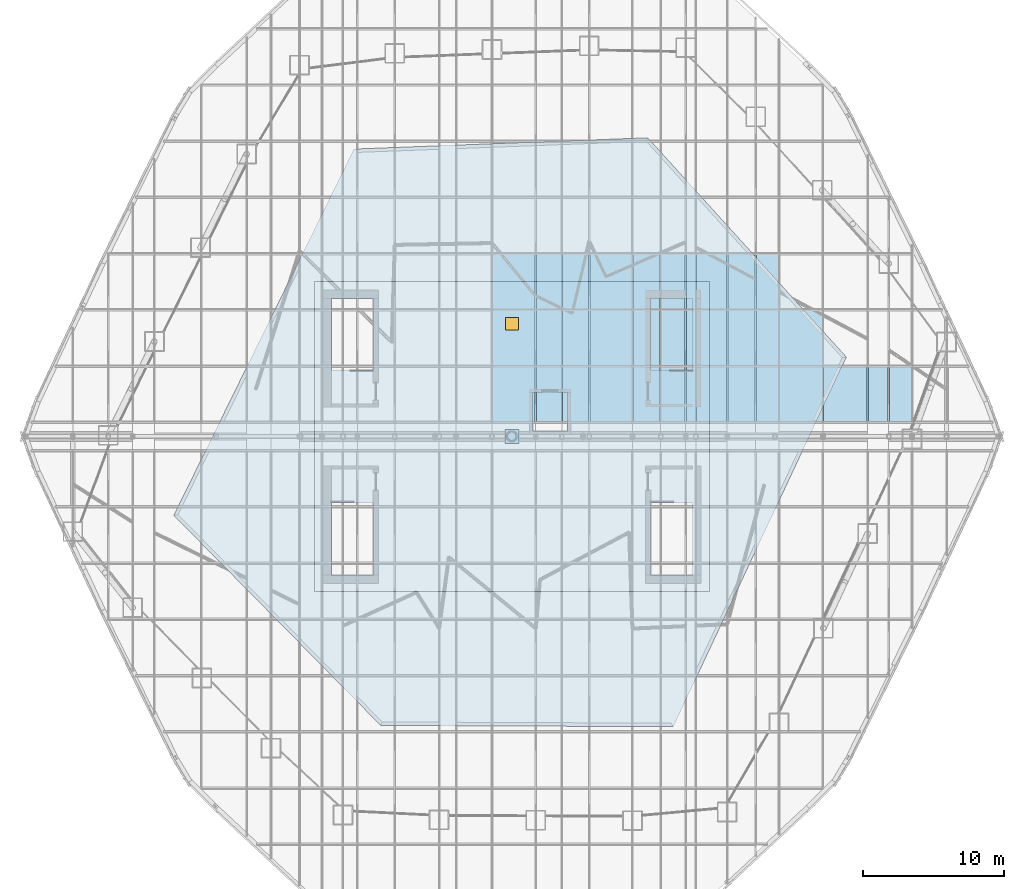
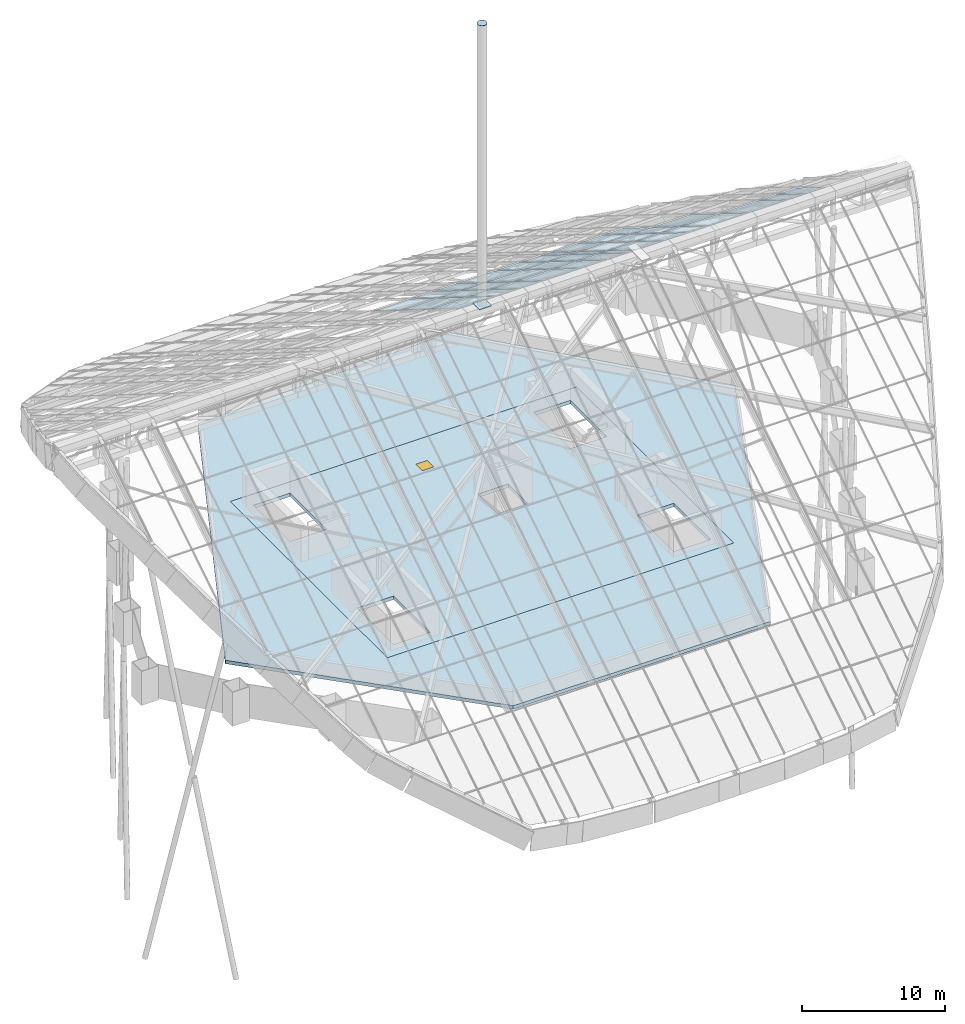
# One storey, part 33 of 38: 37 plates, 2 slabs, 1 door, 1 opening, 35 elements without a shape of their own.
"""IFC4 building model written with IfcOpenShell, lengths in metres."""

from ifc_helpers import new_model, si_unit, direction, frame, origin, origin_2d, place, context, subcontext, project, spatial, polyline, rectangle, circle, outline, extrude, material, layer, layer_set, material_profile, profile_set, type_object, element, fill, aggregate, save


model = new_model("IFC4")

# Units and contexts
model_context = context("Model", 3, precision=1e-05, world=origin(), true_north=direction((0.0, 1.0)))
body_context = subcontext(model_context, "Body", "Model", "MODEL_VIEW")
ifc_project = project(units=[si_unit("LENGTHUNIT", "METRE"), si_unit("AREAUNIT", "SQUARE_METRE"), si_unit("VOLUMEUNIT", "CUBIC_METRE"), si_unit("PLANEANGLEUNIT", "RADIAN"), si_unit("MASSUNIT", "GRAM", prefix="KILO")], contexts=[model_context])

# Site, building, storey
site_placement = place(None, origin())
site = spatial("IfcSite", under=ifc_project, at=site_placement, CompositionType="ELEMENT")
building_placement = place(site_placement, origin())
building = spatial("IfcBuilding", under=site, at=building_placement, Name="Dongbaek Canopy Tower", CompositionType="ELEMENT")
storey_placement = place(building_placement, frame((0.0, 0.0, 375.800048828125)))
storey = spatial("IfcBuildingStorey", under=building, at=storey_placement, Name="Roof", CompositionType="ELEMENT", Elevation=375.800048828125)

# Curtain wall, plate
ifc_material_1 = material(Name="Aluminium 6063-T6 pale anodised", Category="aluminium")
ifc_layer_1 = layer(ifc_material_1, 0.199951171875)
ifc_layer_set_1 = layer_set([ifc_layer_1], Name="CW-6 canopy glazing curtain wall")
curtain_wall_type = type_object("IfcCurtainWallType", Name="CW-6 canopy glazing curtain wall", PredefinedType="NOTDEFINED", material=ifc_layer_set_1)
curtain_wall_1_placement = place(storey_placement, origin())
curtain_wall_1 = element("IfcCurtainWall", 1, at=curtain_wall_1_placement, inside=storey, type_object=curtain_wall_type, Name="CW-6 canopy glazing north 16.1", PredefinedType="NOTDEFINED")
ifc_material_2 = material(Name="Clear laminated glass", Category="glass")
ifc_layer_2 = layer(ifc_material_2, 0.0400390625)
ifc_layer_set_2 = layer_set([ifc_layer_2], Name="CW-6 glazed panel 40")
plate_type_1 = type_object("IfcPlateType", Name="CW-6 glazed panel 40", PredefinedType="CURTAIN_PANEL", material=ifc_layer_set_2)
plate_1_placement = place(storey_placement, frame((1.639892578125, 1.04296875, 18.095458984375), z_axis=(0.0, 0.52990827259, 0.848054964398), x_axis=(-1.0, 0.0, 0.0)))
plate_1 = element("IfcPlate", 2, at=plate_1_placement, type_object=plate_type_1, Name="CW-6 panel N16.1", PredefinedType="CURTAIN_PANEL", context=body_context, shape_type="SweptSolid", body=[
    extrude(outline(polyline([(0.0, 0.0), (3.014892578125, 0.0), (3.014892578125, -4.59893125811938), (0.0, -4.59893125811938), (0.0, 0.0)])), origin(), (0.0, 0.0, -1.0), 0.0400390625),
])
aggregate(curtain_wall_1, [plate_1])

curtain_wall_2_placement = place(storey_placement, origin())
curtain_wall_2 = element("IfcCurtainWall", 3, at=curtain_wall_2_placement, inside=storey, type_object=curtain_wall_type, Name="CW-6 canopy glazing north 16.2", PredefinedType="NOTDEFINED")
plate_2_placement = place(storey_placement, frame((1.639892578125, 5.029296875, 15.6044921875), z_axis=(0.0, 0.52990827259, 0.848054964398), x_axis=(-1.0, 0.0, 0.0)))
plate_2 = element("IfcPlate", 4, at=plate_2_placement, type_object=plate_type_1, Name="CW-6 panel N16.2", PredefinedType="CURTAIN_PANEL", context=body_context, shape_type="SweptSolid", body=[
    extrude(outline(polyline([(0.0, 0.0), (3.014892578125, 0.0), (3.014892578125, -4.59893125811938), (0.0, -4.59893125811938), (0.0, 0.0)])), origin(), (0.0, 0.0, -1.0), 0.0400390625),
])
aggregate(curtain_wall_2, [plate_2])

curtain_wall_3_placement = place(storey_placement, origin())
curtain_wall_3 = element("IfcCurtainWall", 5, at=curtain_wall_3_placement, inside=storey, type_object=curtain_wall_type, Name="CW-6 canopy glazing north 16.3", PredefinedType="NOTDEFINED")
plate_3_placement = place(storey_placement, frame((1.639892578125, 9.015380859375, 13.11376953125), z_axis=(0.0, 0.529946450558, 0.848031107649), x_axis=(-1.0, 0.0, 0.0)))
plate_3 = element("IfcPlate", 6, at=plate_3_placement, type_object=plate_type_1, Name="CW-6 panel N16.3", PredefinedType="CURTAIN_PANEL", context=body_context, shape_type="SweptSolid", body=[
    extrude(outline(polyline([(0.0, 0.0), (3.014892578125, 0.0), (3.014892578125, -4.599060634916705), (0.0, -4.599060634916705), (0.0, 0.0)])), origin(), (0.0, 0.0, -1.0), 0.0400390625),
])
aggregate(curtain_wall_3, [plate_3])

curtain_wall_4_placement = place(storey_placement, origin())
curtain_wall_4 = element("IfcCurtainWall", 7, at=curtain_wall_4_placement, inside=storey, type_object=curtain_wall_type, Name="CW-6 canopy glazing north 17.1", PredefinedType="NOTDEFINED")
plate_4_placement = place(storey_placement, frame((3.4921875, 1.04296875, 18.095458984375), z_axis=(0.0, 0.52990827259, 0.848054964398), x_axis=(-1.0, 0.0, 0.0)))
plate_4 = element("IfcPlate", 8, at=plate_4_placement, type_object=plate_type_1, Name="CW-6 panel N17.1", PredefinedType="CURTAIN_PANEL", context=body_context, shape_type="SweptSolid", body=[
    extrude(outline(polyline([(0.0, 0.0), (1.76611328125, 0.0), (1.76611328125, -4.59893125811938), (0.0, -4.59893125811938), (0.0, 0.0)])), origin(), (0.0, 0.0, -1.0), 0.0400390625),
])
aggregate(curtain_wall_4, [plate_4])

curtain_wall_5_placement = place(storey_placement, origin())
curtain_wall_5 = element("IfcCurtainWall", 9, at=curtain_wall_5_placement, inside=storey, type_object=curtain_wall_type, Name="CW-6 canopy glazing north 17.2", PredefinedType="NOTDEFINED")
plate_5_placement = place(storey_placement, frame((3.4921875, 5.029296875, 15.6044921875), z_axis=(0.0, 0.52990827259, 0.848054964398), x_axis=(-1.0, 0.0, 0.0)))
plate_5 = element("IfcPlate", 10, at=plate_5_placement, type_object=plate_type_1, Name="CW-6 panel N17.2", PredefinedType="CURTAIN_PANEL", context=body_context, shape_type="SweptSolid", body=[
    extrude(outline(polyline([(0.0, 0.0), (1.76611328125, 0.0), (1.76611328125, -4.59893125811938), (0.0, -4.59893125811938), (0.0, 0.0)])), origin(), (0.0, 0.0, -1.0), 0.0400390625),
])
aggregate(curtain_wall_5, [plate_5])

curtain_wall_6_placement = place(storey_placement, origin())
curtain_wall_6 = element("IfcCurtainWall", 11, at=curtain_wall_6_placement, inside=storey, type_object=curtain_wall_type, Name="CW-6 canopy glazing north 17.3", PredefinedType="NOTDEFINED")
plate_6_placement = place(storey_placement, frame((3.4921875, 9.015380859375, 13.11376953125), z_axis=(0.0, 0.529946450558, 0.848031107649), x_axis=(-1.0, 0.0, 0.0)))
plate_6 = element("IfcPlate", 12, at=plate_6_placement, type_object=plate_type_1, Name="CW-6 panel N17.3", PredefinedType="CURTAIN_PANEL", context=body_context, shape_type="SweptSolid", body=[
    extrude(outline(polyline([(0.0, 0.0), (1.76611328125, 0.0), (1.76611328125, -4.599060634916704), (0.0, -4.599060634916704), (0.0, 0.0)])), origin(), (0.0, 0.0, -1.0), 0.0400390625),
])
aggregate(curtain_wall_6, [plate_6])

curtain_wall_7_placement = place(storey_placement, origin())
curtain_wall_7 = element("IfcCurtainWall", 13, at=curtain_wall_7_placement, inside=storey, type_object=curtain_wall_type, Name="CW-6 canopy glazing north 18.1", PredefinedType="NOTDEFINED")
plate_7_placement = place(storey_placement, frame((5.427978515625, 1.04296875, 18.095458984375), z_axis=(0.0, 0.52990827259, 0.848054964398), x_axis=(-1.0, 0.0, 0.0)))
plate_7 = element("IfcPlate", 14, at=plate_7_placement, type_object=plate_type_1, Name="CW-6 panel N18.1", PredefinedType="CURTAIN_PANEL", context=body_context, shape_type="SweptSolid", body=[
    extrude(outline(polyline([(0.0, 0.0), (1.849609375, 0.0), (1.849609375, -4.59893125811938), (0.0, -4.59893125811938), (0.0, 0.0)])), origin(), (0.0, 0.0, -1.0), 0.0400390625),
])
aggregate(curtain_wall_7, [plate_7])

curtain_wall_8_placement = place(storey_placement, origin())
curtain_wall_8 = element("IfcCurtainWall", 15, at=curtain_wall_8_placement, inside=storey, type_object=curtain_wall_type, Name="CW-6 canopy glazing north 18.2", PredefinedType="NOTDEFINED")
plate_8_placement = place(storey_placement, frame((5.427978515625, 5.029296875, 15.6044921875), z_axis=(0.0, 0.52990827259, 0.848054964398), x_axis=(-1.0, 0.0, 0.0)))
plate_8 = element("IfcPlate", 16, at=plate_8_placement, type_object=plate_type_1, Name="CW-6 panel N18.2", PredefinedType="CURTAIN_PANEL", context=body_context, shape_type="SweptSolid", body=[
    extrude(outline(polyline([(0.0, 0.0), (1.849609375, 0.0), (1.849609375, -4.59893125811938), (0.0, -4.59893125811938), (0.0, 0.0)])), origin(), (0.0, 0.0, -1.0), 0.0400390625),
])
aggregate(curtain_wall_8, [plate_8])

curtain_wall_9_placement = place(storey_placement, origin())
curtain_wall_9 = element("IfcCurtainWall", 17, at=curtain_wall_9_placement, inside=storey, type_object=curtain_wall_type, Name="CW-6 canopy glazing north 18.3", PredefinedType="NOTDEFINED")
plate_9_placement = place(storey_placement, frame((5.427978515625, 9.015380859375, 13.11376953125), z_axis=(0.0, 0.529946450558, 0.848031107649), x_axis=(-1.0, 0.0, 0.0)))
plate_9 = element("IfcPlate", 18, at=plate_9_placement, type_object=plate_type_1, Name="CW-6 panel N18.3", PredefinedType="CURTAIN_PANEL", context=body_context, shape_type="SweptSolid", body=[
    extrude(outline(polyline([(0.0, 0.0), (1.849609375, 0.0), (1.849609375, -4.599060634916705), (0.0, -4.599060634916705), (0.0, 0.0)])), origin(), (0.0, 0.0, -1.0), 0.0400390625),
])
aggregate(curtain_wall_9, [plate_9])

curtain_wall_10_placement = place(storey_placement, origin())
curtain_wall_10 = element("IfcCurtainWall", 19, at=curtain_wall_10_placement, inside=storey, type_object=curtain_wall_type, Name="CW-6 canopy glazing north 19.1", PredefinedType="NOTDEFINED")
plate_10_placement = place(storey_placement, frame((8.490966796875, 1.04296875, 18.095458984375), z_axis=(0.0, 0.52990827259, 0.848054964398), x_axis=(-1.0, 0.0, 0.0)))
plate_10 = element("IfcPlate", 20, at=plate_10_placement, type_object=plate_type_1, Name="CW-6 panel N19.1", PredefinedType="CURTAIN_PANEL", context=body_context, shape_type="SweptSolid", body=[
    extrude(outline(polyline([(0.0, 0.0), (2.97705078125, 0.0), (2.97705078125, -4.59893125811938), (0.0, -4.59893125811938), (0.0, 0.0)])), origin(), (0.0, 0.0, -1.0), 0.0400390625),
])
aggregate(curtain_wall_10, [plate_10])

curtain_wall_11_placement = place(storey_placement, origin())
curtain_wall_11 = element("IfcCurtainWall", 21, at=curtain_wall_11_placement, inside=storey, type_object=curtain_wall_type, Name="CW-6 canopy glazing north 19.2", PredefinedType="NOTDEFINED")
plate_11_placement = place(storey_placement, frame((8.490966796875, 5.029296875, 15.6044921875), z_axis=(0.0, 0.52990827259, 0.848054964398), x_axis=(-1.0, 0.0, 0.0)))
plate_11 = element("IfcPlate", 22, at=plate_11_placement, type_object=plate_type_1, Name="CW-6 panel N19.2", PredefinedType="CURTAIN_PANEL", context=body_context, shape_type="SweptSolid", body=[
    extrude(outline(polyline([(0.0, 0.0), (2.97705078125, 0.0), (2.97705078125, -4.59893125811938), (0.0, -4.59893125811938), (0.0, 0.0)])), origin(), (0.0, 0.0, -1.0), 0.0400390625),
])
aggregate(curtain_wall_11, [plate_11])

curtain_wall_12_placement = place(storey_placement, origin())
curtain_wall_12 = element("IfcCurtainWall", 23, at=curtain_wall_12_placement, inside=storey, type_object=curtain_wall_type, Name="CW-6 canopy glazing north 19.3", PredefinedType="NOTDEFINED")
plate_12_placement = place(storey_placement, frame((8.490966796875, 9.015380859375, 13.11376953125), z_axis=(0.0, 0.529946450558, 0.848031107649), x_axis=(-1.0, 0.0, 0.0)))
plate_12 = element("IfcPlate", 24, at=plate_12_placement, type_object=plate_type_1, Name="CW-6 panel N19.3", PredefinedType="CURTAIN_PANEL", context=body_context, shape_type="SweptSolid", body=[
    extrude(outline(polyline([(0.0, 0.0), (2.97705078125, 0.0), (2.97705078125, -4.599060634916705), (0.0, -4.599060634916705), (0.0, 0.0)])), origin(), (0.0, 0.0, -1.0), 0.0400390625),
])
aggregate(curtain_wall_12, [plate_12])

curtain_wall_13_placement = place(storey_placement, origin())
curtain_wall_13 = element("IfcCurtainWall", 25, at=curtain_wall_13_placement, inside=storey, type_object=curtain_wall_type, Name="CW-6 canopy glazing north 20.1", PredefinedType="NOTDEFINED")
plate_13_placement = place(storey_placement, frame((10.4921875, 1.04296875, 18.095458984375), z_axis=(0.0, 0.52990827259, 0.848054964398), x_axis=(-1.0, 0.0, 0.0)))
plate_13 = element("IfcPlate", 26, at=plate_13_placement, type_object=plate_type_1, Name="CW-6 panel N20.1", PredefinedType="CURTAIN_PANEL", context=body_context, shape_type="SweptSolid", body=[
    extrude(outline(polyline([(0.0, 0.0), (1.915283203125, 0.0), (1.915283203125, -4.59893125811938), (0.0, -4.59893125811938), (0.0, 0.0)])), origin(), (0.0, 0.0, -1.0), 0.0400390625),
])
aggregate(curtain_wall_13, [plate_13])

curtain_wall_14_placement = place(storey_placement, origin())
curtain_wall_14 = element("IfcCurtainWall", 27, at=curtain_wall_14_placement, inside=storey, type_object=curtain_wall_type, Name="CW-6 canopy glazing north 20.2", PredefinedType="NOTDEFINED")
plate_14_placement = place(storey_placement, frame((10.4921875, 5.029296875, 15.6044921875), z_axis=(0.0, 0.52990827259, 0.848054964398), x_axis=(-1.0, 0.0, 0.0)))
plate_14 = element("IfcPlate", 28, at=plate_14_placement, type_object=plate_type_1, Name="CW-6 panel N20.2", PredefinedType="CURTAIN_PANEL", context=body_context, shape_type="SweptSolid", body=[
    extrude(outline(polyline([(0.0, 0.0), (1.915283203125, 0.0), (1.915283203125, -4.59893125811938), (0.0, -4.59893125811938), (0.0, 0.0)])), origin(), (0.0, 0.0, -1.0), 0.0400390625),
])
aggregate(curtain_wall_14, [plate_14])

curtain_wall_15_placement = place(storey_placement, origin())
curtain_wall_15 = element("IfcCurtainWall", 29, at=curtain_wall_15_placement, inside=storey, type_object=curtain_wall_type, Name="CW-6 canopy glazing north 20.3", PredefinedType="NOTDEFINED")
plate_15_placement = place(storey_placement, frame((10.4921875, 9.015380859375, 13.11376953125), z_axis=(0.0, 0.529946450558, 0.848031107649), x_axis=(-1.0, 0.0, 0.0)))
plate_15 = element("IfcPlate", 30, at=plate_15_placement, type_object=plate_type_1, Name="CW-6 panel N20.3", PredefinedType="CURTAIN_PANEL", context=body_context, shape_type="SweptSolid", body=[
    extrude(outline(polyline([(0.0, 0.0), (1.915283203125, 0.0), (1.915283203125, -4.599060634916705), (0.0, -4.599060634916705), (0.0, 0.0)])), origin(), (0.0, 0.0, -1.0), 0.0400390625),
])
aggregate(curtain_wall_15, [plate_15])

curtain_wall_16_placement = place(storey_placement, origin())
curtain_wall_16 = element("IfcCurtainWall", 31, at=curtain_wall_16_placement, inside=storey, type_object=curtain_wall_type, Name="CW-6 canopy glazing north 21.1", PredefinedType="NOTDEFINED")
plate_16_placement = place(storey_placement, frame((12.27099609375, 1.04296875, 18.095458984375), z_axis=(0.0, 0.52990827259, 0.848054964398), x_axis=(-1.0, 0.0, 0.0)))
plate_16 = element("IfcPlate", 32, at=plate_16_placement, type_object=plate_type_1, Name="CW-6 panel N21.1", PredefinedType="CURTAIN_PANEL", context=body_context, shape_type="SweptSolid", body=[
    extrude(outline(polyline([(0.0, 0.0), (1.692626953125, 0.0), (1.692626953125, -4.59893125811938), (0.0, -4.59893125811938), (0.0, 0.0)])), origin(), (0.0, 0.0, -1.0), 0.0400390625),
])
aggregate(curtain_wall_16, [plate_16])

curtain_wall_17_placement = place(storey_placement, origin())
curtain_wall_17 = element("IfcCurtainWall", 33, at=curtain_wall_17_placement, inside=storey, type_object=curtain_wall_type, Name="CW-6 canopy glazing north 21.2", PredefinedType="NOTDEFINED")
plate_17_placement = place(storey_placement, frame((12.27099609375, 5.029296875, 15.6044921875), z_axis=(0.0, 0.52990827259, 0.848054964398), x_axis=(-1.0, 0.0, 0.0)))
plate_17 = element("IfcPlate", 34, at=plate_17_placement, type_object=plate_type_1, Name="CW-6 panel N21.2", PredefinedType="CURTAIN_PANEL", context=body_context, shape_type="SweptSolid", body=[
    extrude(outline(polyline([(0.0, 0.0), (1.692626953125, 0.0), (1.692626953125, -4.59893125811938), (0.0, -4.59893125811938), (0.0, 0.0)])), origin(), (0.0, 0.0, -1.0), 0.0400390625),
])
aggregate(curtain_wall_17, [plate_17])

curtain_wall_18_placement = place(storey_placement, origin())
curtain_wall_18 = element("IfcCurtainWall", 35, at=curtain_wall_18_placement, inside=storey, type_object=curtain_wall_type, Name="CW-6 canopy glazing north 21.3", PredefinedType="NOTDEFINED")
plate_18_placement = place(storey_placement, frame((12.27099609375, 9.015380859375, 13.11376953125), z_axis=(0.0, 0.529946450558, 0.848031107649), x_axis=(-1.0, 0.0, 0.0)))
plate_18 = element("IfcPlate", 36, at=plate_18_placement, type_object=plate_type_1, Name="CW-6 panel N21.3", PredefinedType="CURTAIN_PANEL", context=body_context, shape_type="SweptSolid", body=[
    extrude(outline(polyline([(0.0, 0.0), (1.692626953125, 0.0), (1.692626953125, -4.599060634916705), (0.0, -4.599060634916705), (0.0, 0.0)])), origin(), (0.0, 0.0, -1.0), 0.0400390625),
])
aggregate(curtain_wall_18, [plate_18])

curtain_wall_19_placement = place(storey_placement, origin())
curtain_wall_19 = element("IfcCurtainWall", 37, at=curtain_wall_19_placement, inside=storey, type_object=curtain_wall_type, Name="CW-6 canopy glazing north 22.1", PredefinedType="NOTDEFINED")
plate_19_placement = place(storey_placement, frame((12.9921875, 1.04296875, 18.095458984375), z_axis=(0.0, 0.52990827259, 0.848054964398), x_axis=(-1.0, 0.0, 0.0)))
plate_19 = element("IfcPlate", 38, at=plate_19_placement, type_object=plate_type_1, Name="CW-6 panel N22.1", PredefinedType="CURTAIN_PANEL", context=body_context, shape_type="SweptSolid", body=[
    extrude(outline(polyline([(0.0, 0.0), (0.63525390625, 0.0), (0.63525390625, -4.5989312581193795), (0.0, -4.5989312581193795), (0.0, 0.0)])), origin(), (0.0, 0.0, -1.0), 0.0400390625),
])
aggregate(curtain_wall_19, [plate_19])

curtain_wall_20_placement = place(storey_placement, origin())
curtain_wall_20 = element("IfcCurtainWall", 39, at=curtain_wall_20_placement, inside=storey, type_object=curtain_wall_type, Name="CW-6 canopy glazing north 22.2", PredefinedType="NOTDEFINED")
plate_20_placement = place(storey_placement, frame((12.9921875, 5.029296875, 15.6044921875), z_axis=(0.0, 0.52990827259, 0.848054964398), x_axis=(-1.0, 0.0, 0.0)))
plate_20 = element("IfcPlate", 40, at=plate_20_placement, type_object=plate_type_1, Name="CW-6 panel N22.2", PredefinedType="CURTAIN_PANEL", context=body_context, shape_type="SweptSolid", body=[
    extrude(outline(polyline([(0.0, 0.0), (0.63525390625, 0.0), (0.63525390625, -4.5989312581193795), (0.0, -4.5989312581193795), (0.0, 0.0)])), origin(), (0.0, 0.0, -1.0), 0.0400390625),
])
aggregate(curtain_wall_20, [plate_20])

curtain_wall_21_placement = place(storey_placement, origin())
curtain_wall_21 = element("IfcCurtainWall", 41, at=curtain_wall_21_placement, inside=storey, type_object=curtain_wall_type, Name="CW-6 canopy glazing north 22.3", PredefinedType="NOTDEFINED")
plate_21_placement = place(storey_placement, frame((12.9921875, 9.015380859375, 13.11376953125), z_axis=(0.0, 0.529946450558, 0.848031107649), x_axis=(-1.0, 0.0, 0.0)))
plate_21 = element("IfcPlate", 42, at=plate_21_placement, type_object=plate_type_1, Name="CW-6 panel N22.3", PredefinedType="CURTAIN_PANEL", context=body_context, shape_type="SweptSolid", body=[
    extrude(outline(polyline([(0.0, 0.0), (0.63525390625, 0.0), (0.63525390625, -4.599060634916705), (0.0, -4.599060634916705), (0.0, 0.0)])), origin(), (0.0, 0.0, -1.0), 0.0400390625),
])
aggregate(curtain_wall_21, [plate_21])

curtain_wall_22_placement = place(storey_placement, origin())
curtain_wall_22 = element("IfcCurtainWall", 43, at=curtain_wall_22_placement, inside=storey, type_object=curtain_wall_type, Name="CW-6 canopy glazing north 23.1", PredefinedType="NOTDEFINED")
plate_22_placement = place(storey_placement, frame((15.208984375, 1.04296875, 18.095458984375), z_axis=(0.0, 0.52990827259, 0.848054964398), x_axis=(-1.0, 0.0, 0.0)))
plate_22 = element("IfcPlate", 44, at=plate_22_placement, type_object=plate_type_1, Name="CW-6 panel N23.1", PredefinedType="CURTAIN_PANEL", context=body_context, shape_type="SweptSolid", body=[
    extrude(outline(polyline([(0.0, 0.0), (2.130615234375, 0.0), (2.130615234375, -4.59893125811938), (0.0, -4.59893125811938), (0.0, 0.0)])), origin(), (0.0, 0.0, -1.0), 0.0400390625),
])
aggregate(curtain_wall_22, [plate_22])

curtain_wall_23_placement = place(storey_placement, origin())
curtain_wall_23 = element("IfcCurtainWall", 45, at=curtain_wall_23_placement, inside=storey, type_object=curtain_wall_type, Name="CW-6 canopy glazing north 23.2", PredefinedType="NOTDEFINED")
plate_23_placement = place(storey_placement, frame((15.208984375, 5.029296875, 15.6044921875), z_axis=(0.0, 0.52990827259, 0.848054964398), x_axis=(-1.0, 0.0, 0.0)))
plate_23 = element("IfcPlate", 46, at=plate_23_placement, type_object=plate_type_1, Name="CW-6 panel N23.2", PredefinedType="CURTAIN_PANEL", context=body_context, shape_type="SweptSolid", body=[
    extrude(outline(polyline([(0.0, 0.0), (2.130615234375, 0.0), (2.130615234375, -4.59893125811938), (0.0, -4.59893125811938), (0.0, 0.0)])), origin(), (0.0, 0.0, -1.0), 0.0400390625),
])
aggregate(curtain_wall_23, [plate_23])

curtain_wall_24_placement = place(storey_placement, origin())
curtain_wall_24 = element("IfcCurtainWall", 47, at=curtain_wall_24_placement, inside=storey, type_object=curtain_wall_type, Name="CW-6 canopy glazing north 23.3", PredefinedType="NOTDEFINED")
plate_24_placement = place(storey_placement, frame((15.208984375, 9.015380859375, 13.11376953125), z_axis=(0.0, 0.529946450558, 0.848031107649), x_axis=(-1.0, 0.0, 0.0)))
plate_24 = element("IfcPlate", 48, at=plate_24_placement, type_object=plate_type_1, Name="CW-6 panel N23.3", PredefinedType="CURTAIN_PANEL", context=body_context, shape_type="SweptSolid", body=[
    extrude(outline(polyline([(0.0, 0.0), (2.130615234375, 0.0), (2.130615234375, -4.599060634916706), (0.0, -4.599060634916706), (0.0, 0.0)])), origin(), (0.0, 0.0, -1.0), 0.0400390625),
])
aggregate(curtain_wall_24, [plate_24])

curtain_wall_25_placement = place(storey_placement, origin())
curtain_wall_25 = element("IfcCurtainWall", 49, at=curtain_wall_25_placement, inside=storey, type_object=curtain_wall_type, Name="CW-6 canopy glazing north 24.1", PredefinedType="NOTDEFINED")
plate_25_placement = place(storey_placement, frame((17.23291015625, 1.04296875, 18.095458984375), z_axis=(0.0, 0.52990827259, 0.848054964398), x_axis=(-1.0, 0.0, 0.0)))
plate_25 = element("IfcPlate", 50, at=plate_25_placement, type_object=plate_type_1, Name="CW-6 panel N24.1", PredefinedType="CURTAIN_PANEL", context=body_context, shape_type="SweptSolid", body=[
    extrude(outline(polyline([(0.0, 0.0), (1.93798828125, 0.0), (1.93798828125, -4.59893125811938), (0.0, -4.59893125811938), (0.0, 0.0)])), origin(), (0.0, 0.0, -1.0), 0.0400390625),
])
aggregate(curtain_wall_25, [plate_25])

curtain_wall_26_placement = place(storey_placement, origin())
curtain_wall_26 = element("IfcCurtainWall", 51, at=curtain_wall_26_placement, inside=storey, type_object=curtain_wall_type, Name="CW-6 canopy glazing north 24.2", PredefinedType="NOTDEFINED")
plate_26_placement = place(storey_placement, frame((17.23291015625, 5.029296875, 15.6044921875), z_axis=(0.0, 0.52990827259, 0.848054964398), x_axis=(-1.0, 0.0, 0.0)))
plate_26 = element("IfcPlate", 52, at=plate_26_placement, type_object=plate_type_1, Name="CW-6 panel N24.2", PredefinedType="CURTAIN_PANEL", context=body_context, shape_type="SweptSolid", body=[
    extrude(outline(polyline([(0.0, 0.0), (1.93798828125, 0.0), (1.93798828125, -4.59893125811938), (0.0, -4.59893125811938), (0.0, 0.0)])), origin(), (0.0, 0.0, -1.0), 0.0400390625),
])
aggregate(curtain_wall_26, [plate_26])

curtain_wall_27_placement = place(storey_placement, origin())
curtain_wall_27 = element("IfcCurtainWall", 53, at=curtain_wall_27_placement, inside=storey, type_object=curtain_wall_type, Name="CW-6 canopy glazing north 24.3", PredefinedType="NOTDEFINED")
plate_27_placement = place(storey_placement, frame((17.23291015625, 9.015380859375, 13.11376953125), z_axis=(0.0, 0.529946450558, 0.848031107649), x_axis=(-1.0, 0.0, 0.0)))
plate_27 = element("IfcPlate", 54, at=plate_27_placement, type_object=plate_type_1, Name="CW-6 panel N24.3", PredefinedType="CURTAIN_PANEL", context=body_context, shape_type="SweptSolid", body=[
    extrude(outline(polyline([(0.0, 0.0), (1.93798828125, 0.0), (1.93798828125, -4.599060634916705), (0.0, -4.599060634916705), (0.0, 0.0)])), origin(), (0.0, 0.0, -1.0), 0.0400390625),
])
aggregate(curtain_wall_27, [plate_27])

curtain_wall_28_placement = place(storey_placement, origin())
curtain_wall_28 = element("IfcCurtainWall", 55, at=curtain_wall_28_placement, inside=storey, type_object=curtain_wall_type, Name="CW-6 canopy glazing north 25.1", PredefinedType="NOTDEFINED")
plate_28_placement = place(storey_placement, frame((18.882080078125, 1.04296875, 18.095458984375), z_axis=(0.0, 0.52990827259, 0.848054964398), x_axis=(-1.0, 0.0, 0.0)))
plate_28 = element("IfcPlate", 56, at=plate_28_placement, type_object=plate_type_1, Name="CW-6 panel N25.1", PredefinedType="CURTAIN_PANEL", context=body_context, shape_type="SweptSolid", body=[
    extrude(outline(polyline([(0.0, 0.0), (1.56298828125, 0.0), (1.56298828125, -4.59893125811938), (0.0, -4.59893125811938), (0.0, 0.0)])), origin(), (0.0, 0.0, -1.0), 0.0400390625),
])
aggregate(curtain_wall_28, [plate_28])

curtain_wall_29_placement = place(storey_placement, origin())
curtain_wall_29 = element("IfcCurtainWall", 57, at=curtain_wall_29_placement, inside=storey, type_object=curtain_wall_type, Name="CW-6 canopy glazing north 25.2", PredefinedType="NOTDEFINED")
plate_29_placement = place(storey_placement, frame((18.882080078125, 5.029296875, 15.6044921875), z_axis=(0.0, 0.52990827259, 0.848054964398), x_axis=(-1.0, 0.0, 0.0)))
plate_29 = element("IfcPlate", 58, at=plate_29_placement, type_object=plate_type_1, Name="CW-6 panel N25.2", PredefinedType="CURTAIN_PANEL", context=body_context, shape_type="SweptSolid", body=[
    extrude(outline(polyline([(0.0, 0.0), (1.56298828125, 0.0), (1.56298828125, -4.59893125811938), (0.0, -4.59893125811938), (0.0, 0.0)])), origin(), (0.0, 0.0, -1.0), 0.0400390625),
])
aggregate(curtain_wall_29, [plate_29])

curtain_wall_30_placement = place(storey_placement, origin())
curtain_wall_30 = element("IfcCurtainWall", 59, at=curtain_wall_30_placement, inside=storey, type_object=curtain_wall_type, Name="CW-6 canopy glazing north 25.3", PredefinedType="NOTDEFINED")
plate_30_placement = place(storey_placement, frame((18.882080078125, 9.015380859375, 13.11376953125), z_axis=(0.0, 0.529946450558, 0.848031107649), x_axis=(-1.0, 0.0, 0.0)))
plate_30 = element("IfcPlate", 60, at=plate_30_placement, type_object=plate_type_1, Name="CW-6 panel N25.3", PredefinedType="CURTAIN_PANEL", context=body_context, shape_type="SweptSolid", body=[
    extrude(outline(polyline([(0.0, 0.0), (1.56298828125, 0.0), (1.56298828125, -4.599060634916705), (0.0, -4.599060634916705), (0.0, 0.0)])), origin(), (0.0, 0.0, -1.0), 0.0400390625),
])
aggregate(curtain_wall_30, [plate_30])

curtain_wall_31_placement = place(storey_placement, origin())
curtain_wall_31 = element("IfcCurtainWall", 61, at=curtain_wall_31_placement, inside=storey, type_object=curtain_wall_type, Name="CW-6 canopy glazing north 26.1", PredefinedType="NOTDEFINED")
plate_31_placement = place(storey_placement, frame((21.9921875, 1.04296875, 18.095458984375), z_axis=(0.0, 0.52990827259, 0.848054964398), x_axis=(-1.0, 0.0, 0.0)))
plate_31 = element("IfcPlate", 62, at=plate_31_placement, type_object=plate_type_1, Name="CW-6 panel N26.1", PredefinedType="CURTAIN_PANEL", context=body_context, shape_type="SweptSolid", body=[
    extrude(outline(polyline([(0.0, 0.0), (3.024169921875, 0.0), (3.024169921875, -4.59893125811938), (0.0, -4.59893125811938), (0.0, 0.0)])), origin(), (0.0, 0.0, -1.0), 0.0400390625),
])
aggregate(curtain_wall_31, [plate_31])

curtain_wall_32_placement = place(storey_placement, origin())
curtain_wall_32 = element("IfcCurtainWall", 63, at=curtain_wall_32_placement, inside=storey, type_object=curtain_wall_type, Name="CW-6 canopy glazing north 26.2", PredefinedType="NOTDEFINED")
plate_32_placement = place(storey_placement, frame((21.9921875, 5.029296875, 15.6044921875), z_axis=(0.0, 0.52990827259, 0.848054964398), x_axis=(-1.0, 0.0, 0.0)))
plate_32 = element("IfcPlate", 64, at=plate_32_placement, type_object=plate_type_1, Name="CW-6 panel N26.2", PredefinedType="CURTAIN_PANEL", context=body_context, shape_type="SweptSolid", body=[
    extrude(outline(polyline([(0.0, 0.0), (3.024169921875, 0.0), (3.024169921875, -4.59893125811938), (0.0, -4.59893125811938), (0.0, 0.0)])), origin(), (0.0, 0.0, -1.0), 0.0400390625),
])
aggregate(curtain_wall_32, [plate_32])

curtain_wall_33_placement = place(storey_placement, origin())
curtain_wall_33 = element("IfcCurtainWall", 65, at=curtain_wall_33_placement, inside=storey, type_object=curtain_wall_type, Name="CW-6 canopy glazing north 27.1", PredefinedType="NOTDEFINED")
plate_33_placement = place(storey_placement, frame((25.1669921875, 1.04296875, 18.095458984375), z_axis=(0.0, 0.52990827259, 0.848054964398), x_axis=(-1.0, 0.0, 0.0)))
plate_33 = element("IfcPlate", 66, at=plate_33_placement, type_object=plate_type_1, Name="CW-6 panel N27.1", PredefinedType="CURTAIN_PANEL", context=body_context, shape_type="SweptSolid", body=[
    extrude(outline(polyline([(0.0, 0.0), (3.088623046875, 0.0), (3.088623046875, -4.59893125811938), (0.0, -4.59893125811938), (0.0, 0.0)])), origin(), (0.0, 0.0, -1.0), 0.0400390625),
])
aggregate(curtain_wall_33, [plate_33])

curtain_wall_34_placement = place(storey_placement, origin())
curtain_wall_34 = element("IfcCurtainWall", 67, at=curtain_wall_34_placement, inside=storey, type_object=curtain_wall_type, Name="CW-6 canopy glazing north 28.1", PredefinedType="NOTDEFINED")
plate_34_placement = place(storey_placement, frame((26.659912109375, 1.04296875, 18.095458984375), z_axis=(0.0, 0.52990827259, 0.848054964398), x_axis=(-1.0, 0.0, 0.0)))
plate_34 = element("IfcPlate", 68, at=plate_34_placement, type_object=plate_type_1, Name="CW-6 panel N28.1", PredefinedType="CURTAIN_PANEL", context=body_context, shape_type="SweptSolid", body=[
    extrude(outline(polyline([(0.0, 0.0), (1.406982421875, 0.0), (1.406982421875, -4.59893125811938), (0.0, -4.59893125811938), (0.0, 0.0)])), origin(), (0.0, 0.0, -1.0), 0.0400390625),
])
aggregate(curtain_wall_34, [plate_34])

curtain_wall_35_placement = place(storey_placement, origin())
curtain_wall_35 = element("IfcCurtainWall", 69, at=curtain_wall_35_placement, inside=storey, type_object=curtain_wall_type, Name="CW-6 canopy glazing north 29.1", PredefinedType="NOTDEFINED")
plate_35_placement = place(storey_placement, frame((28.30810546875, 1.04296875, 18.095458984375), z_axis=(0.0, 0.52990827259, 0.848054964398), x_axis=(-1.0, 0.0, 0.0)))
plate_35 = element("IfcPlate", 70, at=plate_35_placement, type_object=plate_type_1, Name="CW-6 panel N29.1", PredefinedType="CURTAIN_PANEL", context=body_context, shape_type="SweptSolid", body=[
    extrude(outline(polyline([(0.0, 0.0), (1.56201171875, 0.0), (1.56201171875, -4.5989312581193795), (0.0, -4.5989312581193795), (0.0, 0.0)])), origin(), (0.0, 0.0, -1.0), 0.0400390625),
])
aggregate(curtain_wall_35, [plate_35])

# Slab, opening, door
ifc_material_3 = material(Name="Concrete C40/50", Category="concrete")
ifc_layer_3 = layer(ifc_material_3, 0.300048828125)
ifc_layer_set_3 = layer_set([ifc_layer_3], Name="Core roof slab 300 Concrete C40/50")
slab_type_1 = type_object("IfcSlabType", Name="Core roof slab 300 Concrete C40/50", PredefinedType="FLOOR", material=ifc_layer_set_3)
slab_1_placement = place(storey_placement, frame((0.0, 0.0, -0.300048828125)))
slab_1 = element("IfcSlab", 71, at=slab_1_placement, inside=storey, type_object=slab_type_1, Name="Core loft floor slab", PredefinedType="FLOOR", context=body_context, shape_type="SweptSolid", body=[
    extrude(outline(polyline([(14.0, -11.0), (14.0, 11.0), (-14.0, 11.0), (-14.0, -11.0), (14.0, -11.0)]), holes=[polyline([(12.800048828125, 4.70068359375), (12.800048828125, 9.800048828125), (9.85009765625, 9.800048828125), (9.85009765625, 4.70068359375), (12.800048828125, 4.70068359375)]), polyline([(-9.85009765625, 4.70068359375), (-9.85009765625, 9.800048828125), (-12.800048828125, 9.800048828125), (-12.800048828125, 4.70068359375), (-9.85009765625, 4.70068359375)]), polyline([(9.85009765625, -4.70068359375), (9.85009765625, -9.800048828125), (12.800048828125, -9.800048828125), (12.800048828125, -4.70068359375), (9.85009765625, -4.70068359375)]), polyline([(-12.800048828125, -4.70068359375), (-12.800048828125, -9.800048828125), (-9.85009765625, -9.800048828125), (-9.85009765625, -4.70068359375), (-12.800048828125, -4.70068359375)]), polyline([(3.925048828125, 3.125), (3.925048828125, 0.39990234375), (1.47509765625, 0.39990234375), (1.47509765625, 3.125), (3.925048828125, 3.125)])]), origin(), (0.0, 0.0, 1.0), 0.300048828125),
])
opening_placement = place(slab_1_placement, frame((0.0, 8.0, 0.0)))
opening = element("IfcOpeningElement", 72, at=opening_placement, cuts=slab_1, Name="Opening RH-ROOF", PredefinedType="OPENING", context=body_context, shape_type="SweptSolid", body=[
    extrude(rectangle(XDim=0.89990234375, YDim=0.89990234375, at=origin_2d()), origin(), (0.0, 0.0, 1.0), 0.300048828125),
])
ifc_material_4 = material(Name="Galvanised steel hatch", Category="steel")
door_type = type_object("IfcDoorType", Name="Roof hatch RH1 900 x 900", OperationType="SINGLE_SWING_LEFT", PredefinedType="TRAPDOOR", material=ifc_material_4)
door_placement = place(opening_placement, frame((0.0, 0.0, 0.25)))
door = element("IfcDoor", 73, at=door_placement, inside=storey, type_object=door_type, Name="Roof hatch ROOF", OperationType="SINGLE_SWING_LEFT", OverallHeight=0.89990234375, OverallWidth=0.89990234375, PredefinedType="TRAPDOOR", context=body_context, shape_type="SweptSolid", body=[
    extrude(rectangle(XDim=0.89990234375, YDim=0.89990234375, at=origin_2d()), origin(), (0.0, 0.0, 1.0), 0.050048828125),
])
fill(opening, door)

# Slab
ifc_material_5 = material(Name="Concrete C40", Category="concrete")
ifc_layer_4 = layer(ifc_material_5, 0.300048828125)
ifc_layer_set_4 = layer_set([ifc_layer_4], Name="RC ROOF SLAB 300 Concrete C40")
slab_type_2 = type_object("IfcSlabType", Name="RC ROOF SLAB 300 Concrete C40", PredefinedType="ROOF", material=ifc_layer_set_4)
slab_2_placement = place(storey_placement, frame((0.0, 0.0, -0.300048828125)))
element("IfcSlab", 74, at=slab_2_placement, inside=storey, type_object=slab_type_2, Name="SLAB:Roof", PredefinedType="ROOF", context=body_context, shape_type="SweptSolid", body=[
    extrude(outline(polyline([(-23.972412109375, -5.587646484375), (-11.201904296875, 20.37744140625), (9.6259765625, 21.17431640625), (23.701416015625, 5.631591796875), (11.430908203125, -20.569091796875), (-9.307861328125, -20.4765625), (-23.972412109375, -5.587646484375)]), holes=[polyline([(14.0, 11.0), (-14.0, 11.0), (-14.0, -11.0), (14.0, -11.0), (14.0, 11.0)])]), origin(), (0.0, 0.0, 1.0), 0.300048828125),
])

# Plates
ifc_material_6 = material(Name="Steel S355", Category="steel")
ifc_material_profile_1 = material_profile(ifc_material_6, rectangle(XDim=0.9951171875, YDim=0.9951171875, at=origin_2d()), Name="Spire base plate 995 x 995 x 40")
ifc_profile_set_1 = profile_set([ifc_material_profile_1], Name="Steel S355")
plate_type_2 = type_object("IfcPlateType", Name="Spire base plate 995 x 995 x 40", PredefinedType="SHEET", material=ifc_profile_set_1)
plate_36_placement = place(storey_placement, frame((0.0, 0.0, 18.601806640625), z_axis=(0.0, 0.0, 1.0), x_axis=(1.0, 0.0, 0.0)))
element("IfcPlate", 75, at=plate_36_placement, inside=storey, type_object=plate_type_2, Name="SPIRE BASE PLATE", PredefinedType="SHEET", context=body_context, shape_type="SweptSolid", body=[
    extrude(rectangle(XDim=0.9951171875, YDim=0.9951171875, at=origin_2d()), origin(), (0.0, 0.0, 1.0), 0.0400390625),
])
ifc_material_7 = material(Name="Steel S355", Category="steel")
ifc_material_profile_2 = material_profile(ifc_material_7, circle(Radius=0.35546875, at=origin_2d()), Name="Spire cap 711 x 20")
ifc_profile_set_2 = profile_set([ifc_material_profile_2], Name="Steel S355")
plate_type_3 = type_object("IfcPlateType", Name="Spire cap 711 x 20", PredefinedType="SHEET", material=ifc_profile_set_2)
plate_37_placement = place(storey_placement, frame((0.0, 0.0, 42.641845703125), z_axis=(0.0, 0.0, 1.0), x_axis=(1.0, 0.0, 0.0)))
element("IfcPlate", 76, at=plate_37_placement, inside=storey, type_object=plate_type_3, Name="Crown spire end plate", PredefinedType="SHEET", context=body_context, shape_type="SweptSolid", body=[
    extrude(circle(Radius=0.35546875, at=origin_2d()), origin(), (0.0, 0.0, 1.0), 0.02001953125),
])

save(model, "model.ifc")
